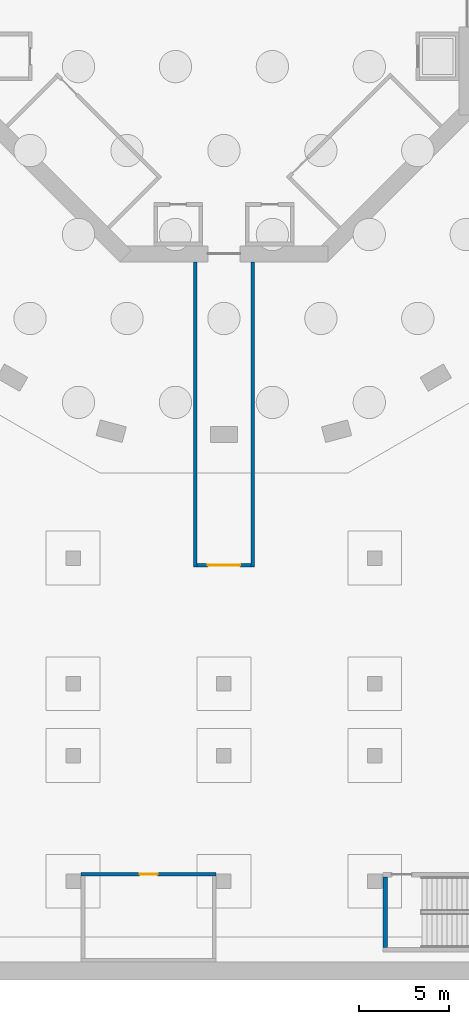
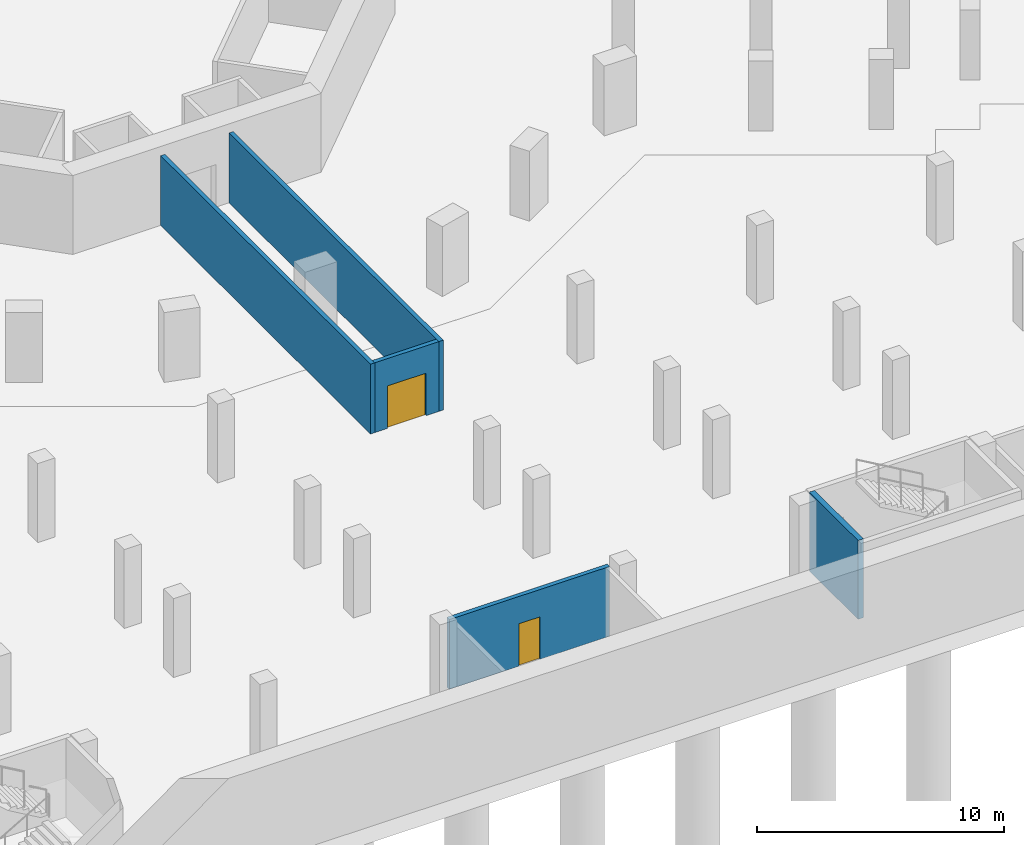
# One storey, part 6 of 27: 5 walls, 2 doors, 2 openings.
"""IFC4 building model written with IfcOpenShell, lengths in metres."""

import ifcopenshell
import ifcopenshell.guid

model = None  # the IFC model being written
_history = None  # IfcOwnerHistory: only IFC2X3 demands one
_inside = {}  # id of a spatial element -> (the spatial element, [elements in it])
_under = {}  # id of a project, library or spatial element -> (it, [spatial elements below it])
_declared = {}  # id of a project -> (the project, [libraries it declares])
_typed = {}  # id of a type object -> (the type object, [elements of that type])
_made_of = {}  # id of a material, layer set ... -> (it, [elements and type objects made of it])


def new_model(schema):
    """Start an empty IFC model of exactly this schema.

    Asked for "IFC4X3", IfcOpenShell would pick the latest addendum, in which some entities
    have other attributes; the version numbers below select the first issue.
    IFC2X3 requires an IfcOwnerHistory on every rooted entity: one is made here for all.
    """
    global model, _history
    if schema == "IFC4X3":
        model = ifcopenshell.file(schema_version=(4, 3, 0, 0))
    else:
        model = ifcopenshell.file(schema=schema)
    _inside.clear()
    _under.clear()
    _declared.clear()
    _typed.clear()
    _made_of.clear()
    _history = None
    if model.schema == "IFC2X3":
        org = make("IfcOrganization", Name="unknown")
        user = make(
            "IfcPersonAndOrganization",
            ThePerson=make("IfcPerson", FamilyName="unknown"),
            TheOrganization=org,
        )
        app = make(
            "IfcApplication",
            ApplicationDeveloper=org,
            Version="unknown",
            ApplicationFullName="unknown",
            ApplicationIdentifier="unknown",
        )
        _history = make(
            "IfcOwnerHistory",
            OwningUser=user,
            OwningApplication=app,
            ChangeAction="ADDED",
            CreationDate=0,
        )
    return model


def make(cls, **values):
    """One entity of the class cls with the attributes given. An attribute that is None is left unset."""
    return model.create_entity(
        cls, **{name: value for name, value in values.items() if value is not None}
    )


def rooted(cls, **values):
    """An entity with a GlobalId (a new one), such as an element, a storey or a relation."""
    return make(cls, GlobalId=ifcopenshell.guid.new(), OwnerHistory=_history, **values)


def si_unit(unit_type, name, prefix=None):
    """IfcSIUnit, for example si_unit("LENGTHUNIT", "METRE", prefix="MILLI")."""
    return make("IfcSIUnit", UnitType=unit_type, Prefix=prefix, Name=name)


def assignment(units):
    """IfcUnitAssignment: the units of a project."""
    return None if units is None else make("IfcUnitAssignment", Units=units)


def point(xyz):
    """IfcCartesianPoint."""
    return None if xyz is None else make("IfcCartesianPoint", Coordinates=xyz)


def direction(xyz):
    """IfcDirection."""
    return None if xyz is None else make("IfcDirection", DirectionRatios=xyz)


def frame(location, z_axis=None, x_axis=None):
    """IfcAxis2Placement3D, a coordinate frame: its origin and axes. An axis left out is left unset."""
    return make(
        "IfcAxis2Placement3D",
        Location=point(location),
        Axis=direction(z_axis),
        RefDirection=direction(x_axis),
    )


def frame_2d(location, x_axis=None):
    """IfcAxis2Placement2D, a coordinate frame in the plane: its origin and x axis."""
    return make(
        "IfcAxis2Placement2D", Location=point(location), RefDirection=direction(x_axis)
    )


def origin():
    """The frame at (0, 0, 0) with its axes left unset."""
    return frame((0.0, 0.0, 0.0))


def place(relative_to, where):
    """IfcLocalPlacement: puts the frame where relative to a parent placement (None: the world)."""
    return make(
        "IfcLocalPlacement", PlacementRelTo=relative_to, RelativePlacement=where
    )


def context(
    kind, dimensions, precision=None, world=None, true_north=None, identifier=None
):
    """IfcGeometricRepresentationContext, for example the 3D "Model" context."""
    return make(
        "IfcGeometricRepresentationContext",
        ContextIdentifier=identifier,
        ContextType=kind,
        CoordinateSpaceDimension=dimensions,
        Precision=precision,
        WorldCoordinateSystem=world,
        TrueNorth=true_north,
    )


def subcontext(parent, identifier, kind, view, scale=None):
    """IfcGeometricRepresentationSubContext, for example "Body" below "Model"."""
    return make(
        "IfcGeometricRepresentationSubContext",
        ContextIdentifier=identifier,
        ContextType=kind,
        ParentContext=parent,
        TargetScale=scale,
        TargetView=view,
    )


def project(units=None, contexts=None):
    """IfcProject with its units and contexts."""
    return rooted(
        "IfcProject",
        Name="project",
        RepresentationContexts=contexts,
        UnitsInContext=assignment(units),
    )


def spatial(cls, under=None, at=None, **own):
    """A site, building, storey or space (cls), placed at a placement, below another one or the project."""
    s = rooted(cls, ObjectPlacement=at, **own)
    if under is not None:
        _under.setdefault(under.id(), (under, []))[1].append(s)
    return s


def profile(cls, at=None, kind="AREA", **sizes):
    """A parametric profile (cls). Its sizes go by their IFC names, for example OverallWidth=200.0."""
    return make(cls, ProfileType=kind, Position=at, **sizes)


def rectangle(**sizes):
    """IfcRectangleProfileDef."""
    return profile("IfcRectangleProfileDef", **sizes)


def extrude(swept, where, along, depth):
    """IfcExtrudedAreaSolid: the profile swept, set in the frame where, extruded along a direction by depth."""
    return make(
        "IfcExtrudedAreaSolid",
        SweptArea=swept,
        Position=where,
        ExtrudedDirection=direction(along),
        Depth=depth,
    )


def shape(context_of_items, identifier, shape_type, items):
    """IfcShapeRepresentation: the items that make up one representation, for example the "Body"."""
    return make(
        "IfcShapeRepresentation",
        ContextOfItems=context_of_items,
        RepresentationIdentifier=identifier,
        RepresentationType=shape_type,
        Items=items,
    )


def material(Name=None, Category=None):
    """IfcMaterial."""
    return make("IfcMaterial", Name=Name, Category=Category)


def layer(
    of_material, thickness, ventilated=None, Name=None, Category=None, Priority=None
):
    """IfcMaterialLayer: one layer of a wall or slab, of a material (None: an air gap)."""
    return make(
        "IfcMaterialLayer",
        Material=of_material,
        LayerThickness=thickness,
        IsVentilated=ventilated,
        Name=Name,
        Category=Category,
        Priority=Priority,
    )


def layer_set(layers, Name=None):
    """IfcMaterialLayerSet."""
    return make("IfcMaterialLayerSet", MaterialLayers=layers, LayerSetName=Name)


def made_of(thing, what):
    """Note that an element or type object is made of a material, layer set ...; save() writes the relation."""
    if what is not None:
        _made_of.setdefault(what.id(), (what, []))[1].append(thing)
    return thing


def type_object(cls, material=None, **own):
    """A type object (cls), such as IfcWallType, which elements share."""
    return made_of(rooted(cls, **own), material)


def element(
    cls,
    number,
    at=None,
    inside=None,
    cuts=None,
    type_object=None,
    material=None,
    context=None,
    identifier="Body",
    shape_type=None,
    held_by="IfcProductDefinitionShape",
    body=None,
    shapes=None,
    **own,
):
    """One element of the class cls, such as IfcWall. Its Tag is "e" and its number.

    at: its placement. inside: the storey or other place that contains it. cuts: it is an
    opening in that element (IfcRelVoidsElement). A single representation is given by context,
    identifier, shape_type and body (its items); several are given by shapes. held_by: the class
    of the entity that holds the representations. save() writes the other relations.
    """
    e = rooted(cls, Tag="e%d" % number, ObjectPlacement=at, **own)
    if body is not None:
        shapes = [shape(context, identifier, shape_type, body)]
    if shapes is not None:
        e.Representation = make(held_by, Representations=shapes)
    if inside is not None:
        _inside.setdefault(inside.id(), (inside, []))[1].append(e)
    if cuts is not None:
        rooted(
            "IfcRelVoidsElement", RelatingBuildingElement=cuts, RelatedOpeningElement=e
        )
    if type_object is not None:
        _typed.setdefault(type_object.id(), (type_object, []))[1].append(e)
    return made_of(e, material)


def fill(opening, filler):
    """IfcRelFillsElement: the door or window that sits in an opening."""
    return rooted(
        "IfcRelFillsElement",
        RelatingOpeningElement=opening,
        RelatedBuildingElement=filler,
    )


def aggregate(whole, parts):
    """IfcRelAggregates: a whole, such as a stair, and the parts it consists of."""
    return rooted("IfcRelAggregates", RelatingObject=whole, RelatedObjects=parts)


def save(model, path):
    """Write the relations noted so far, then the file.

    IfcRelAggregates (storeys below a building ...), IfcRelContainedInSpatialStructure (elements
    in a storey), IfcRelDefinesByType, IfcRelAssociatesMaterial and IfcRelDeclares: one each for
    every whole, place, type object, material and project.
    """
    for whole, parts in _under.values():
        aggregate(whole, parts)
    for where, things in _inside.values():
        rooted(
            "IfcRelContainedInSpatialStructure",
            RelatedElements=things,
            RelatingStructure=where,
        )
    for kind, things in _typed.values():
        rooted("IfcRelDefinesByType", RelatedObjects=things, RelatingType=kind)
    for what, things in _made_of.values():
        rooted("IfcRelAssociatesMaterial", RelatedObjects=things, RelatingMaterial=what)
    for by, libraries in _declared.values():
        rooted("IfcRelDeclares", RelatingContext=by, RelatedDefinitions=libraries)
    model.write(path)


model = new_model("IFC4")

# Units and contexts
model_context = context("Model", 3, precision=1e-05, world=origin(), true_north=direction((0.0, 1.0)))
body_context = subcontext(model_context, "Body", "Model", "MODEL_VIEW")
ifc_project = project(units=[si_unit("LENGTHUNIT", "METRE"), si_unit("AREAUNIT", "SQUARE_METRE"), si_unit("VOLUMEUNIT", "CUBIC_METRE"), si_unit("PLANEANGLEUNIT", "RADIAN"), si_unit("MASSUNIT", "GRAM", prefix="KILO")], contexts=[model_context])

# Site, building, storey
site_placement = place(None, origin())
site = spatial("IfcSite", under=ifc_project, at=site_placement, CompositionType="ELEMENT")
building_placement = place(site_placement, origin())
building = spatial("IfcBuilding", under=site, at=building_placement, Name="Verdalira Terraces Hotel", CompositionType="ELEMENT")
storey_placement = place(building_placement, frame((0.0, 0.0, -11.699951)))
storey = spatial("IfcBuildingStorey", under=building, at=storey_placement, Name="B3", CompositionType="ELEMENT", Elevation=-11.699951171875)

# Walls
ifc_material_1 = material(Name="Concrete C40", Category="concrete")
ifc_layer_1 = layer(ifc_material_1, 0.199951171875)
ifc_layer_set_1 = layer_set([ifc_layer_1], Name="Lift lobby wall 200 C40")
wall_type_1 = type_object("IfcWallType", Name="Lift lobby wall 200 C40", PredefinedType="PARTITIONING", material=ifc_layer_set_1)
for number, where, z_axis, x_axis, name in (
    (1, (-1.600098, -31.0, 0.0), (0.0, 0.0, 1.0), (0.0, 1.0, 0.0), "Lift lobby wall"),
    (2, (1.600098, -31.0, 0.0), (0.0, 0.0, 1.0), (0.0, 1.0, 0.0), "Lift lobby wall"),
):
    element("IfcWall", number, at=place(storey_placement, frame(where, z_axis=z_axis, x_axis=x_axis)), inside=storey, type_object=wall_type_1, Name=name, PredefinedType="PARTITIONING", context=body_context, shape_type="SweptSolid", body=[
        extrude(rectangle(XDim=17.0, YDim=0.199951, at=frame_2d((8.5, 0.0))), origin(), (0.0, 0.0, 1.0), 3.449951),
    ])

# Wall, opening, door
wall_1_placement = place(storey_placement, frame((-1.5, -30.899902, 0.0), z_axis=(0.0, 0.0, 1.0), x_axis=(1.0, 0.0, 0.0)))
wall_1 = element("IfcWall", 3, at=wall_1_placement, inside=storey, type_object=wall_type_1, Name="Lift lobby wall", PredefinedType="PARTITIONING", context=body_context, shape_type="SweptSolid", body=[
    extrude(rectangle(XDim=3.0, YDim=0.199951, at=frame_2d((1.5, 0.0))), origin(), (0.0, 0.0, 1.0), 3.449951),
])
opening_1_placement = place(wall_1_placement, frame((0.600098, 0.0, 0.0)))
opening_1 = element("IfcOpeningElement", 4, at=opening_1_placement, cuts=wall_1, Name="Opening B3-D613", PredefinedType="OPENING", context=body_context, shape_type="SweptSolid", body=[
    extrude(rectangle(XDim=1.800049, YDim=2.100098, at=frame_2d((0.899902, 1.050049))), frame((0.0, 0.109863, 0.0), z_axis=(0.0, -1.0, 0.0), x_axis=(1.0, 0.0, 0.0)), (0.0, 0.0, 1.0), 0.219971),
])
ifc_material_2 = material(Name="Steel fire door", Category="steel")
door_type_1 = type_object("IfcDoorType", Name="Lift lobby door 1800 x 2100", OperationType="DOUBLE_DOOR_SINGLE_SWING", PredefinedType="DOOR", material=ifc_material_2)
door_1_placement = place(opening_1_placement, origin())
door_1 = element("IfcDoor", 5, at=door_1_placement, inside=storey, type_object=door_type_1, Name="Lift lobby door", OperationType="DOUBLE_DOOR_SINGLE_SWING", OverallHeight=2.10009765625, OverallWidth=1.800048828125, PredefinedType="DOOR", context=body_context, shape_type="SweptSolid", body=[
    extrude(rectangle(XDim=1.800049, YDim=2.100098, at=frame_2d((0.899902, 1.050049))), frame((0.0, 0.024902, 0.0), z_axis=(0.0, -1.0, 0.0), x_axis=(1.0, 0.0, 0.0)), (0.0, 0.0, 1.0), 0.050049),
])
fill(opening_1, door_1)

ifc_material_3 = material(Name="Concrete C40", Category="concrete")
ifc_layer_2 = layer(ifc_material_3, 0.199951171875)
ifc_layer_set_2 = layer_set([ifc_layer_2], Name="Service room wall 200 C40")
wall_type_2 = type_object("IfcWallType", Name="Service room wall 200 C40", PredefinedType="PARTITIONING", material=ifc_layer_set_2)
wall_2_placement = place(storey_placement, frame((-7.949951, -48.100098, 0.0), z_axis=(0.0, 0.0, 1.0), x_axis=(1.0, 0.0, 0.0)))
wall_2 = element("IfcWall", 6, at=wall_2_placement, inside=storey, type_object=wall_type_2, Name="Generator room wall", PredefinedType="PARTITIONING", context=body_context, shape_type="SweptSolid", body=[
    extrude(rectangle(XDim=7.5, YDim=0.199951, at=frame_2d((3.75, 0.0))), origin(), (0.0, 0.0, 1.0), 3.449951),
])
opening_2_placement = place(wall_2_placement, frame((3.25, 0.0, 0.0)))
opening_2 = element("IfcOpeningElement", 7, at=opening_2_placement, cuts=wall_2, Name="Opening B3-D608", PredefinedType="OPENING", context=body_context, shape_type="SweptSolid", body=[
    extrude(rectangle(XDim=1.0, YDim=2.100098, at=frame_2d((0.5, 1.050049))), frame((0.0, 0.109863, 0.0), z_axis=(0.0, -1.0, 0.0), x_axis=(1.0, 0.0, 0.0)), (0.0, 0.0, 1.0), 0.219971),
])
ifc_material_4 = material(Name="Steel fire door", Category="steel")
door_type_2 = type_object("IfcDoorType", Name="Service room door 1000 x 2100", OperationType="SINGLE_SWING_LEFT", PredefinedType="DOOR", material=ifc_material_4)
door_2_placement = place(opening_2_placement, origin())
door_2 = element("IfcDoor", 8, at=door_2_placement, inside=storey, type_object=door_type_2, Name="Generator room door", OperationType="SINGLE_SWING_LEFT", OverallHeight=2.10009765625, OverallWidth=1.0, PredefinedType="DOOR", context=body_context, shape_type="SweptSolid", body=[
    extrude(rectangle(XDim=1.0, YDim=2.100098, at=frame_2d((0.5, 1.050049))), frame((0.0, 0.024902, 0.0), z_axis=(0.0, -1.0, 0.0), x_axis=(1.0, 0.0, 0.0)), (0.0, 0.0, 1.0), 0.050049),
])
fill(opening_2, door_2)

# Wall
ifc_material_5 = material(Name="Concrete C40", Category="concrete")
ifc_layer_3 = layer(ifc_material_5, 0.25)
ifc_layer_set_3 = layer_set([ifc_layer_3], Name="Stair enclosure wall 250 C40")
wall_type_3 = type_object("IfcWallType", Name="Stair enclosure wall 250 C40", PredefinedType="SOLIDWALL", material=ifc_layer_set_3)
wall_3_placement = place(storey_placement, frame((8.975098, -52.199951, 0.0), z_axis=(0.0, 0.0, 1.0), x_axis=(0.0, 1.0, 0.0)))
element("IfcWall", 9, at=wall_3_placement, inside=storey, type_object=wall_type_3, Name="Stair BS6 enclosure wall", PredefinedType="SOLIDWALL", context=body_context, shape_type="SweptSolid", body=[
    extrude(rectangle(XDim=3.949951, YDim=0.25, at=frame_2d((1.975098, 0.0))), origin(), (0.0, 0.0, 1.0), 3.899902),
])

save(model, "model.ifc")
